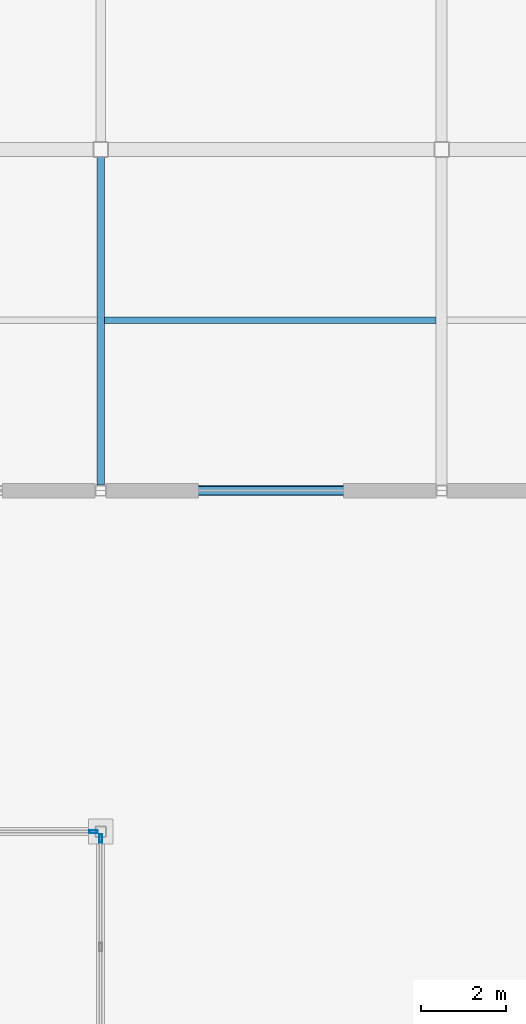
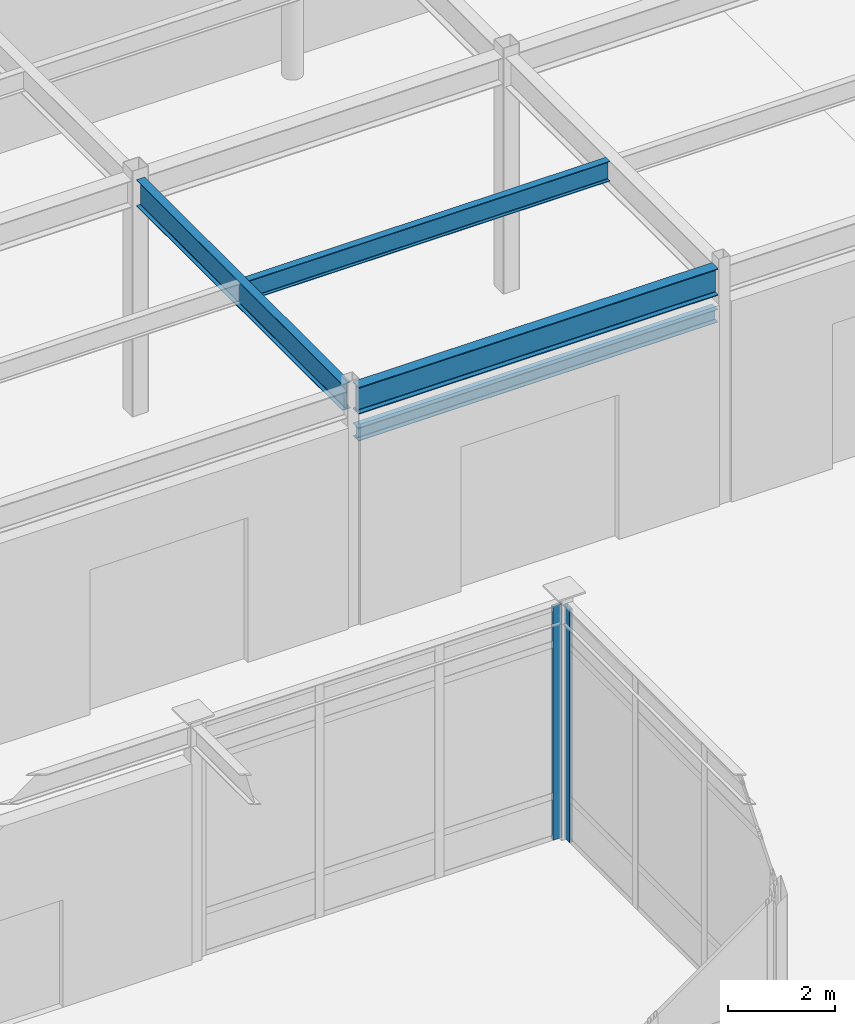
# One storey, part 84 of 128: 4 beams, 2 members, 2 elements without a shape of their own.
"""IFC4 building model written with IfcOpenShell, lengths in metres."""

from ifc_helpers import new_model, si_unit, direction, frame, origin, origin_2d, place, context, subcontext, project, spatial, hollow_rectangle, i_section, extrude, material, material_profile, profile_set, type_object, element, aggregate, save


model = new_model("IFC4")

# Units and contexts
model_context = context("Model", 3, precision=1e-05, world=origin(), true_north=direction((0.0, 1.0)))
body_context = subcontext(model_context, "Body", "Model", "MODEL_VIEW")
ifc_project = project(units=[si_unit("LENGTHUNIT", "METRE"), si_unit("AREAUNIT", "SQUARE_METRE"), si_unit("VOLUMEUNIT", "CUBIC_METRE"), si_unit("PLANEANGLEUNIT", "RADIAN"), si_unit("MASSUNIT", "GRAM", prefix="KILO")], contexts=[model_context])

# Site, building, storey
site_placement = place(None, origin())
site = spatial("IfcSite", under=ifc_project, at=site_placement, CompositionType="ELEMENT")
building_placement = place(site_placement, origin())
building = spatial("IfcBuilding", under=site, at=building_placement, Name="Solmirada Galleria", CompositionType="ELEMENT")
storey_placement = place(building_placement, origin())
storey = spatial("IfcBuildingStorey", under=building, at=storey_placement, Name="L00", CompositionType="ELEMENT", Elevation=0.0)

# Beams
ifc_material_1 = material(Name="Steel S355 / ASTM A992 Grade 50", Category="steel")
ifc_material_profile_1 = material_profile(ifc_material_1, i_section(OverallWidth=0.22900390625, OverallDepth=0.612060546875, WebThickness=0.011962890625, FlangeThickness=0.01953125, FilletRadius=0.014892578125, at=origin_2d()), Name="W24X84")
ifc_profile_set_1 = profile_set([ifc_material_profile_1], Name="Steel S355 / ASTM A992 Grade 50")
beam_type_1 = type_object("IfcBeamType", Name="BM-GIRD-W24B", PredefinedType="BEAM", material=ifc_profile_set_1)
beam_1_placement = place(storey_placement, frame((136.126953125, 72.0, 5.073974609375), z_axis=(1.0, 0.0, 0.0), x_axis=(0.0, 1.0, 0.0)))
element("IfcBeam", 1, at=beam_1_placement, inside=storey, type_object=beam_type_1, Name="Primary beam L01 X(136..144, 72)", PredefinedType="BEAM", context=body_context, shape_type="SweptSolid", body=[
    extrude(i_section(OverallWidth=0.22900390625, OverallDepth=0.612060546875, WebThickness=0.011962890625, FlangeThickness=0.01953125, FilletRadius=0.014892578125, at=origin_2d()), origin(), (0.0, 0.0, 1.0), 7.74609375),
])
ifc_material_profile_2 = material_profile(ifc_material_1, i_section(OverallWidth=0.177978515625, OverallDepth=0.59912109375, WebThickness=0.010009765625, FlangeThickness=0.0126953125, FilletRadius=0.013916015625, at=origin_2d()), Name="W24X55")
ifc_profile_set_2 = profile_set([ifc_material_profile_2], Name="Steel S355 / ASTM A992 Grade 50")
beam_type_2 = type_object("IfcBeamType", Name="BM-GIRD-W24D", PredefinedType="BEAM", material=ifc_profile_set_2)
beam_2_placement = place(storey_placement, frame((136.0, 72.126953125, 5.08056640625), z_axis=(0.0, 1.0, 0.0), x_axis=(-1.0, 0.0, 0.0)))
element("IfcBeam", 2, at=beam_2_placement, inside=storey, type_object=beam_type_2, Name="Primary girder L01 Y(136, 72..80)", PredefinedType="BEAM", context=body_context, shape_type="SweptSolid", body=[
    extrude(i_section(OverallWidth=0.177978515625, OverallDepth=0.59912109375, WebThickness=0.010009765625, FlangeThickness=0.0126953125, FilletRadius=0.013916015625, at=origin_2d()), origin(), (0.0, 0.0, 1.0), 7.695068359375),
])
ifc_material_profile_3 = material_profile(ifc_material_1, i_section(OverallWidth=0.153076171875, OverallDepth=0.455078125, WebThickness=0.008056640625, FlangeThickness=0.01318359375, FilletRadius=0.011962890625, at=origin_2d()), Name="W18X40")
ifc_profile_set_3 = profile_set([ifc_material_profile_3], Name="Steel S355 / ASTM A992 Grade 50")
beam_type_3 = type_object("IfcBeamType", Name="BM-JST-W18A", PredefinedType="JOIST", material=ifc_profile_set_3)
beam_3_placement = place(storey_placement, frame((136.089111328125, 76.0, 5.152587890625), z_axis=(1.0, 0.0, 0.0), x_axis=(0.0, 1.0, 0.0)))
element("IfcBeam", 3, at=beam_3_placement, inside=storey, type_object=beam_type_3, Name="Composite floor joist L01 (136..144, 76.0)", PredefinedType="JOIST", context=body_context, shape_type="SweptSolid", body=[
    extrude(i_section(OverallWidth=0.153076171875, OverallDepth=0.455078125, WebThickness=0.008056640625, FlangeThickness=0.01318359375, FilletRadius=0.011962890625, at=origin_2d()), origin(), (0.0, 0.0, 1.0), 7.782958984375),
])
ifc_material_profile_4 = material_profile(ifc_material_1, i_section(OverallWidth=0.202880859375, OverallDepth=0.302978515625, WebThickness=0.007568359375, FlangeThickness=0.01318359375, FilletRadius=0.011962890625, at=origin_2d()), Name="W12X40")
ifc_profile_set_4 = profile_set([ifc_material_profile_4], Name="Steel S355 / ASTM A992 Grade 50")
beam_type_4 = type_object("IfcBeamType", Name="BM-LINT-W12", PredefinedType="LINTEL", material=ifc_profile_set_4)
beam_4_placement = place(storey_placement, frame((136.126953125, 72.0, 4.298583984375), z_axis=(1.0, 0.0, 0.0), x_axis=(0.0, 1.0, 0.0)))
element("IfcBeam", 4, at=beam_4_placement, inside=storey, type_object=beam_type_4, Name="Portal lintel beam L01 X=136..144", PredefinedType="LINTEL", context=body_context, shape_type="SweptSolid", body=[
    extrude(i_section(OverallWidth=0.202880859375, OverallDepth=0.302978515625, WebThickness=0.007568359375, FlangeThickness=0.01318359375, FilletRadius=0.011962890625, at=origin_2d()), origin(), (0.0, 0.0, 1.0), 7.74609375),
])

# Curtain wall, member
ifc_material_2 = material(Name="Impact-resistant low-E double glazing", Category="glass")
curtain_wall_type = type_object("IfcCurtainWallType", Name="CW-FZ5-L00-B3-L077", PredefinedType="NOTDEFINED", material=ifc_material_2)
curtain_wall_1_placement = place(storey_placement, origin())
curtain_wall_1 = element("IfcCurtainWall", 5, at=curtain_wall_1_placement, inside=storey, type_object=curtain_wall_type, Name="Terrace and arcade storefront CW-L00-041", PredefinedType="NOTDEFINED")
ifc_material_3 = material(Name="Anodised aluminium framing", Category="aluminium")
ifc_material_profile_5 = material_profile(ifc_material_3, hollow_rectangle(XDim=0.070068359375, YDim=0.199951171875, WallThickness=0.004150390625, InnerFilletRadius=0.004150390625, OuterFilletRadius=0.00830078125, at=origin_2d()), Name="ALU-MULL-200X70")
ifc_profile_set_5 = profile_set([ifc_material_profile_5], Name="Anodised aluminium framing")
member_type = type_object("IfcMemberType", Name="CW-MULL-200", PredefinedType="MULLION", material=ifc_profile_set_5)
member_1_placement = place(storey_placement, frame((135.8359375, 64.0, 0.0), z_axis=(0.0, 0.0, 1.0), x_axis=(0.0, 1.0, 0.0)))
member_1 = element("IfcMember", 6, at=member_1_placement, type_object=member_type, Name="CW08 mullion 4", PredefinedType="MULLION", context=body_context, shape_type="SweptSolid", body=[
    extrude(hollow_rectangle(XDim=0.070068359375, YDim=0.199951171875, WallThickness=0.004150390625, InnerFilletRadius=0.004150390625, OuterFilletRadius=0.00830078125, at=origin_2d()), origin(), (0.0, 0.0, 1.0), 5.320068359375),
])
aggregate(curtain_wall_1, [member_1])

curtain_wall_2_placement = place(storey_placement, origin())
curtain_wall_2 = element("IfcCurtainWall", 7, at=curtain_wall_2_placement, inside=storey, type_object=curtain_wall_type, Name="Terrace and arcade storefront CW-L00-042", PredefinedType="NOTDEFINED")
member_2_placement = place(storey_placement, frame((136.0, 63.8359375, 0.0), z_axis=(0.0, 0.0, 1.0), x_axis=(1.0, 0.0, 0.0)))
member_2 = element("IfcMember", 8, at=member_2_placement, type_object=member_type, Name="CW08 mullion 1", PredefinedType="MULLION", context=body_context, shape_type="SweptSolid", body=[
    extrude(hollow_rectangle(XDim=0.070068359375, YDim=0.199951171875, WallThickness=0.004150390625, InnerFilletRadius=0.004150390625, OuterFilletRadius=0.00830078125, at=origin_2d()), origin(), (0.0, 0.0, 1.0), 5.320068359375),
])
aggregate(curtain_wall_2, [member_2])

save(model, "model.ifc")
